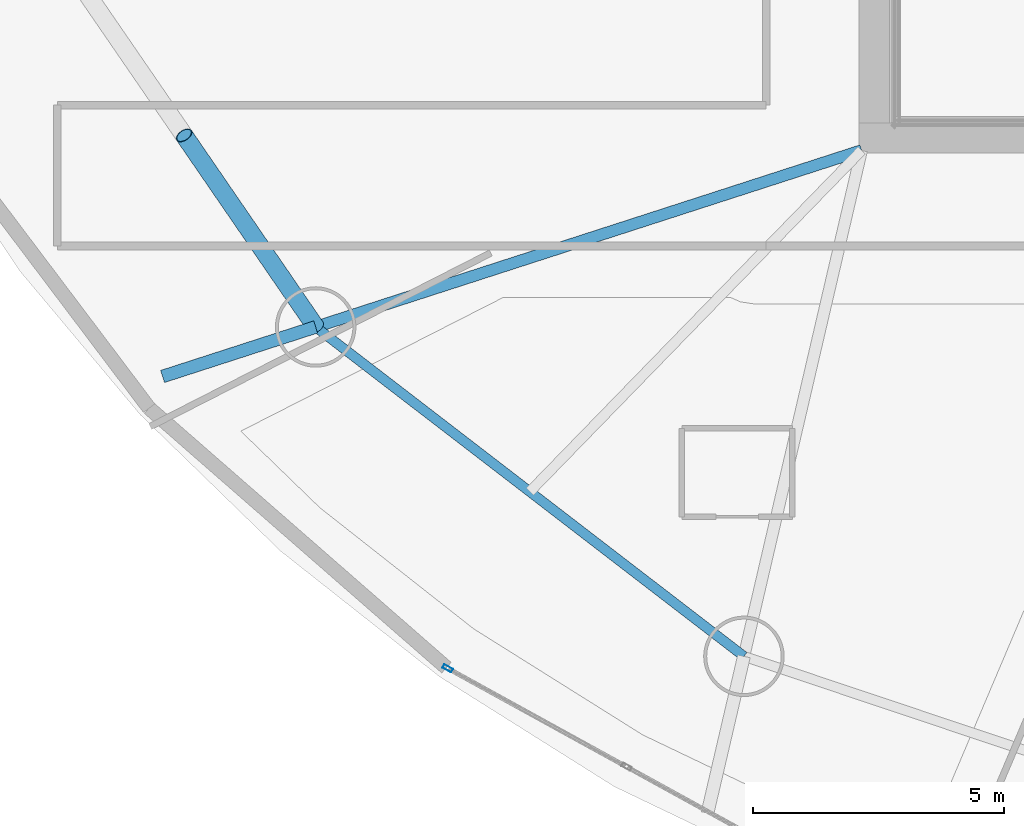
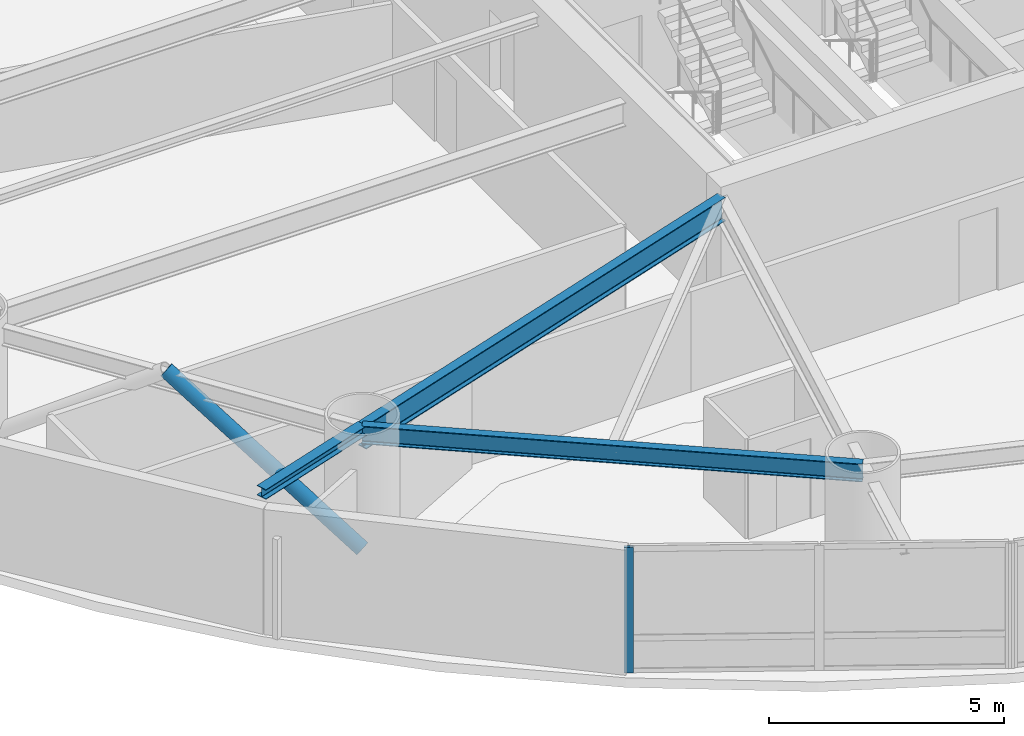
# One storey, part 2 of 23: 3 beams, 2 members, 1 element without a shape of its own.
"""IFC4 building model written with IfcOpenShell, lengths in metres."""

from ifc_helpers import new_model, si_unit, direction, frame, origin, origin_2d, place, context, subcontext, project, spatial, hollow_rectangle, hollow_circle, i_section, extrude, material, layer, layer_set, material_profile, profile_set, type_object, element, aggregate, save


model = new_model("IFC4")

# Units and contexts
model_context = context("Model", 3, precision=1e-05, world=origin(), true_north=direction((0.0, 1.0)))
body_context = subcontext(model_context, "Body", "Model", "MODEL_VIEW")
ifc_project = project(units=[si_unit("LENGTHUNIT", "METRE"), si_unit("AREAUNIT", "SQUARE_METRE"), si_unit("VOLUMEUNIT", "CUBIC_METRE"), si_unit("PLANEANGLEUNIT", "RADIAN"), si_unit("MASSUNIT", "GRAM", prefix="KILO")], contexts=[model_context])

# Site, building, storey
site_placement = place(None, origin())
site = spatial("IfcSite", under=ifc_project, at=site_placement, CompositionType="ELEMENT")
building_placement = place(site_placement, origin())
building = spatial("IfcBuilding", under=site, at=building_placement, Name="Bramvorn Convention Spire", CompositionType="ELEMENT")
storey_placement = place(building_placement, frame((0.0, 0.0, 65.89990234375)))
storey = spatial("IfcBuildingStorey", under=building, at=storey_placement, Name="L14", CompositionType="ELEMENT", Elevation=65.89990234375)

# Beams
ifc_material_1 = material(Name="Steel CSA G40.21 Grade 350 (350W)", Category="steel")
ifc_material_profile_1 = material_profile(ifc_material_1, i_section(OverallWidth=0.25390625, OverallDepth=0.2529296875, WebThickness=0.008544921875, FlangeThickness=0.01416015625, FilletRadius=0.011962890625, at=origin_2d()))
ifc_profile_set_1 = profile_set([ifc_material_profile_1], Name="Steel CSA G40.21 Grade 350 (350W) - W250X73")
beam_type_1 = type_object("IfcBeamType", Name="BM-W250X73", PredefinedType="BEAM", material=ifc_profile_set_1)
beam_1_placement = place(storey_placement, frame((15.894775390625, 15.039794921875, 3.12353515625), z_axis=(-0.951483286173, -0.307700432454, 0.0), x_axis=(0.307700432454, -0.951483286173, 0.0)))
element("IfcBeam", 1, at=beam_1_placement, inside=storey, type_object=beam_type_1, Name="L14 slab-edge cantilever tip beam MC11", PredefinedType="BEAM", context=body_context, shape_type="SweptSolid", body=[
    extrude(i_section(OverallWidth=0.25390625, OverallDepth=0.2529296875, WebThickness=0.008544921875, FlangeThickness=0.01416015625, FilletRadius=0.011962890625, at=origin_2d()), origin(), (0.0, 0.0, 1.0), 3.199951171875),
])
ifc_material_profile_2 = material_profile(ifc_material_1, i_section(OverallWidth=0.194091796875, OverallDepth=0.468994140625, WebThickness=0.0126953125, FlangeThickness=0.0205078125, FilletRadius=0.01806640625, at=origin_2d()))
ifc_profile_set_2 = profile_set([ifc_material_profile_2], Name="Steel CSA G40.21 Grade 350 (350W) - W460X106")
beam_type_2 = type_object("IfcBeamType", Name="BM-W460X106", PredefinedType="SPANDREL", material=ifc_profile_set_2)
beam_2_placement = place(storey_placement, frame((15.894775390625, 15.039794921875, 3.015625), z_axis=(0.792672990445, -0.609647053809, 0.0), x_axis=(0.609647053809, 0.792672990445, 0.0)))
element("IfcBeam", 2, at=beam_2_placement, inside=storey, type_object=beam_type_2, Name="L14 mega-column ring beam 11", PredefinedType="SPANDREL", context=body_context, shape_type="SweptSolid", body=[
    extrude(i_section(OverallWidth=0.194091796875, OverallDepth=0.468994140625, WebThickness=0.0126953125, FlangeThickness=0.0205078125, FilletRadius=0.01806640625, at=origin_2d()), origin(), (0.0, 0.0, 1.0), 10.741943359375),
])
ifc_material_profile_3 = material_profile(ifc_material_1, i_section(OverallWidth=0.22998046875, OverallDepth=0.616943359375, WebThickness=0.01318359375, FlangeThickness=0.022216796875, FilletRadius=0.02001953125, at=origin_2d()))
ifc_profile_set_3 = profile_set([ifc_material_profile_3], Name="Steel CSA G40.21 Grade 350 (350W) - W610X140")
beam_type_3 = type_object("IfcBeamType", Name="BM-W610X140", PredefinedType="BEAM", material=ifc_profile_set_3)
beam_3_placement = place(storey_placement, frame((26.75, 18.550048828125, 2.941650390625), z_axis=(-0.951488933275, -0.307682969719, 0.0), x_axis=(0.307682969719, -0.951488933275, 0.0)))
element("IfcBeam", 3, at=beam_3_placement, inside=storey, type_object=beam_type_3, Name="L14 radial floor girder MC11", PredefinedType="BEAM", context=body_context, shape_type="SweptSolid", body=[
    extrude(i_section(OverallWidth=0.22998046875, OverallDepth=0.616943359375, WebThickness=0.01318359375, FlangeThickness=0.022216796875, FilletRadius=0.02001953125, at=origin_2d()), origin(), (0.0, 0.0, 1.0), 11.40869140625),
])

# Curtain wall, member
ifc_material_2 = material(Name="Anodised Bronze Unitised Curtain Wall", Category="aluminium")
ifc_layer = layer(ifc_material_2, 0.179931640625)
ifc_layer_set = layer_set([ifc_layer], Name="Anodised Bronze Unitised Curtain Wall - CW-HTL-FRIT")
curtain_wall_type = type_object("IfcCurtainWallType", Name="CW-HTL-FRIT", PredefinedType="USERDEFINED", material=ifc_layer_set)
curtain_wall_placement = place(storey_placement, origin())
curtain_wall = element("IfcCurtainWall", 4, at=curtain_wall_placement, inside=storey, type_object=curtain_wall_type, Name="L14 fritted glass curtain wall 17", ObjectType="UNITISED CURTAIN WALL", PredefinedType="USERDEFINED")
ifc_material_3 = material(Name="Anodised Bronze Aluminium 6063-T6", Category="aluminium")
ifc_material_profile_4 = material_profile(ifc_material_3, hollow_rectangle(XDim=0.080078125, YDim=0.199951171875, WallThickness=0.00390625, InnerFilletRadius=0.0009765625, OuterFilletRadius=0.00390625, at=origin_2d()))
ifc_profile_set_4 = profile_set([ifc_material_profile_4], Name="Anodised Bronze Aluminium 6063-T6 - CWM80X200")
member_type_1 = type_object("IfcMemberType", Name="CW-MUL-180", PredefinedType="MULLION", material=ifc_profile_set_4)
member_1_placement = place(storey_placement, frame((18.519775390625, 8.252685546875, 0.0), z_axis=(0.0, 0.0, 1.0), x_axis=(-0.482156929091, -0.876084867881, 0.0)))
member_1 = element("IfcMember", 5, at=member_1_placement, type_object=member_type_1, Name="CW2 mullion 3", PredefinedType="MULLION", context=body_context, shape_type="SweptSolid", body=[
    extrude(hollow_rectangle(XDim=0.080078125, YDim=0.199951171875, WallThickness=0.00390625, InnerFilletRadius=0.0009765625, OuterFilletRadius=0.00390625, at=origin_2d()), origin(), (0.0, 0.0, 1.0), 3.25),
])
aggregate(curtain_wall, [member_1])

# Member
ifc_material_profile_5 = material_profile(ifc_material_1, hollow_circle(Radius=0.177734375, WallThickness=0.015869140625, at=origin_2d()))
ifc_profile_set_5 = profile_set([ifc_material_profile_5], Name="Steel CSA G40.21 Grade 350 (350W) - CHS356X16")
member_type_2 = type_object("IfcMemberType", Name="MBR-CHS356X16", PredefinedType="BRACE", material=ifc_profile_set_5)
member_2_placement = place(storey_placement, frame((15.894775390625, 15.039794921875, 0.0), z_axis=(-0.463106048325, 0.674307985647, 0.575188254833), x_axis=(-0.824316157743, -0.566129730789, 0.0)))
element("IfcMember", 6, at=member_2_placement, inside=storey, type_object=member_type_2, Name="L14 perimeter Gothic lancet brace 10B", PredefinedType="BRACE", context=body_context, shape_type="SweptSolid", body=[
    extrude(hollow_circle(Radius=0.177734375, WallThickness=0.015869140625, at=origin_2d()), origin(), (0.0, 0.0, 1.0), 5.650390625),
])

save(model, "model.ifc")
